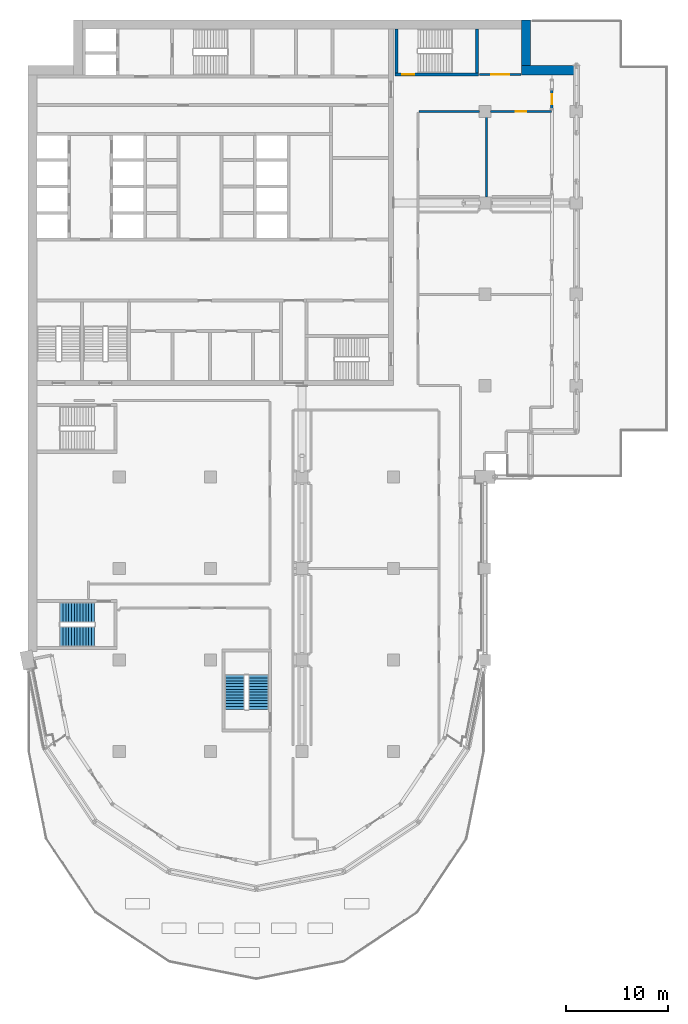
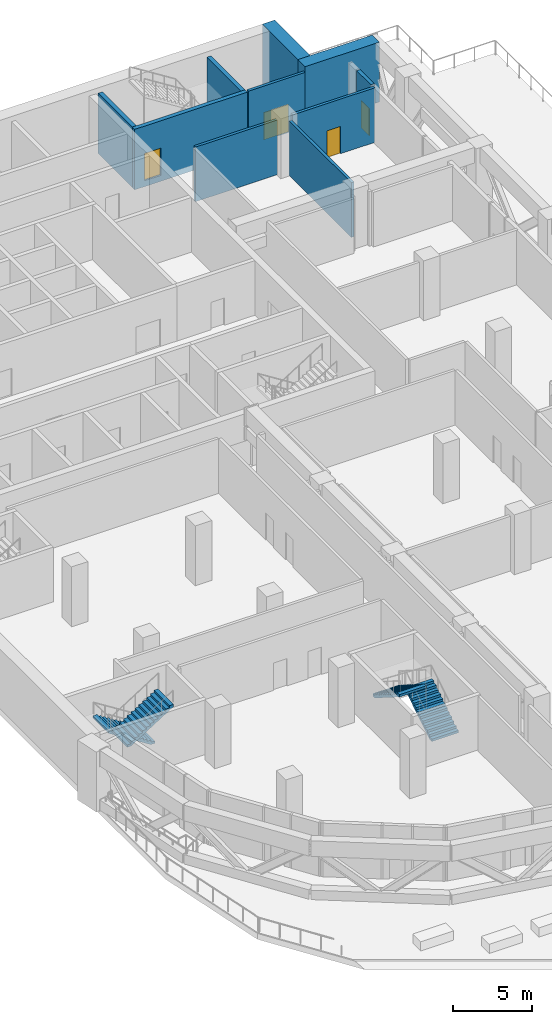
# One storey, part 11 of 20: 10 walls, 4 doors, 4 stair flights, 4 openings, 2 elements without a shape of their own.
"""IFC4 building model written with IfcOpenShell, lengths in metres."""

from ifc_helpers import new_model, si_unit, direction, frame, frame_2d, origin, place, context, subcontext, project, spatial, polyline, rectangle, outline, extrude, material, layer, layer_set, type_object, element, fill, aggregate, save


model = new_model("IFC4")

# Units and contexts
model_context = context("Model", 3, precision=1e-05, world=origin(), true_north=direction((0.0, 1.0)))
body_context = subcontext(model_context, "Body", "Model", "MODEL_VIEW")
ifc_project = project(units=[si_unit("LENGTHUNIT", "METRE"), si_unit("AREAUNIT", "SQUARE_METRE"), si_unit("VOLUMEUNIT", "CUBIC_METRE"), si_unit("PLANEANGLEUNIT", "RADIAN"), si_unit("MASSUNIT", "GRAM", prefix="KILO")], contexts=[model_context])

# Site, building, storey
site_placement = place(None, origin())
site = spatial("IfcSite", under=ifc_project, at=site_placement, CompositionType="ELEMENT")
building_placement = place(site_placement, origin())
building = spatial("IfcBuilding", under=site, at=building_placement, Name="Hunhe Ridgeline Campus", CompositionType="ELEMENT")
storey_placement = place(building_placement, frame((0.0, 0.0, 178.199951171875)))
storey = spatial("IfcBuildingStorey", under=building, at=storey_placement, Name="L45", CompositionType="ELEMENT", Elevation=178.199951171875)

# Wall, opening, door
ifc_material_1 = material(Name="Gypsum board partition")
ifc_layer_1 = layer(ifc_material_1, 0.199951171875)
ifc_layer_set_1 = layer_set([ifc_layer_1], Name="Corridor partition 200 gypsum board on steel studs")
wall_type_1 = type_object("IfcWallType", Name="Corridor partition 200 gypsum board on steel studs", PredefinedType="PARTITIONING", material=ifc_layer_set_1)
wall_1_placement = place(storey_placement, frame((51.544921875, 90.0, 0.0), z_axis=(0.0, 0.0, 1.0), x_axis=(-1.0, 0.0, 0.0)))
wall_1 = element("IfcWall", 1, at=wall_1_placement, inside=storey, type_object=wall_type_1, Name="F-L45-wall-029", PredefinedType="PARTITIONING", context=body_context, shape_type="SweptSolid", body=[
    extrude(rectangle(XDim=5.994873046875, YDim=0.199951171875, at=frame_2d((2.99755859375, 0.0))), origin(), (0.0, 0.0, 1.0), 4.199951171875),
])
opening_1_placement = place(wall_1_placement, frame((2.49755859375, 0.0, 0.0)))
opening_1 = element("IfcOpeningElement", 2, at=opening_1_placement, cuts=wall_1, Name="Opening RD1-014", PredefinedType="OPENING", context=body_context, shape_type="SweptSolid", body=[
    extrude(rectangle(XDim=1.0, YDim=2.10009765625, at=frame_2d((0.5, 1.050048828125))), frame((0.0, 0.10009765625, 0.0), z_axis=(0.0, -1.0, 0.0), x_axis=(1.0, 0.0, 0.0)), (0.0, 0.0, 1.0), 0.199951171875),
])
ifc_material_2 = material(Name="Timber door leaf", Category="wood")
door_type_1 = type_object("IfcDoorType", Name="Single fire door 1000x2100 timber FD60", OperationType="NOTDEFINED", PredefinedType="DOOR", material=ifc_material_2)
door_1_placement = place(opening_1_placement, frame((1.0, 0.0, 0.0), z_axis=(0.0, 0.0, 1.0), x_axis=(-1.0, 0.0, 0.0)))
door_1 = element("IfcDoor", 3, at=door_1_placement, inside=storey, type_object=door_type_1, Name="F-L45-door-014", OperationType="SINGLE_SWING_LEFT", OverallHeight=2.10009765625, OverallWidth=1.0, PredefinedType="DOOR", context=body_context, shape_type="SweptSolid", body=[
    extrude(rectangle(XDim=1.0, YDim=2.10009765625, at=frame_2d((0.5, 1.050048828125))), frame((0.0, 0.02490234375, 0.0), z_axis=(0.0, -1.0, 0.0), x_axis=(1.0, 0.0, 0.0)), (0.0, 0.0, 1.0), 0.050048828125),
])
fill(opening_1, door_1)

# Wall
wall_2_placement = place(storey_placement, frame((44.449951171875, 90.0, 0.0), z_axis=(0.0, 0.0, 1.0), x_axis=(-1.0, 0.0, 0.0)))
element("IfcWall", 4, at=wall_2_placement, inside=storey, type_object=wall_type_1, Name="F-L45-wall-030", PredefinedType="PARTITIONING", context=body_context, shape_type="SweptSolid", body=[
    extrude(rectangle(XDim=5.949951171875, YDim=0.199951171875, at=frame_2d((2.97509765625, 0.0))), origin(), (0.0, 0.0, 1.0), 4.199951171875),
])

# Wall, opening, door
wall_3_placement = place(storey_placement, frame((44.4541015625, 93.64990234375, 0.0), z_axis=(0.0, 0.0, 1.0), x_axis=(1.0, 0.0, 0.0)))
wall_3 = element("IfcWall", 5, at=wall_3_placement, inside=storey, type_object=wall_type_1, Name="F-L45-wall-031", PredefinedType="PARTITIONING", context=body_context, shape_type="SweptSolid", body=[
    extrude(rectangle(XDim=4.121826171875, YDim=0.199951171875, at=frame_2d((2.06103515625, 0.0))), origin(), (0.0, 0.0, 1.0), 4.199951171875),
])
opening_2_placement = place(wall_3_placement, frame((1.160888671875, 0.0, 0.0)))
opening_2 = element("IfcOpeningElement", 6, at=opening_2_placement, cuts=wall_3, Name="Opening RD2-015", PredefinedType="OPENING", context=body_context, shape_type="SweptSolid", body=[
    extrude(rectangle(XDim=1.800048828125, YDim=2.10009765625, at=frame_2d((0.89990234375, 1.050048828125))), frame((0.0, 0.10009765625, 0.0), z_axis=(0.0, -1.0, 0.0), x_axis=(1.0, 0.0, 0.0)), (0.0, 0.0, 1.0), 0.199951171875),
])
door_type_2 = type_object("IfcDoorType", Name="Double fire door 1800x2100 timber FD60", OperationType="DOUBLE_DOOR_SINGLE_SWING", PredefinedType="DOOR", material=ifc_material_2)
door_2_placement = place(opening_2_placement, origin())
door_2 = element("IfcDoor", 7, at=door_2_placement, inside=storey, type_object=door_type_2, Name="F-L45-door-015", OperationType="DOUBLE_DOOR_SINGLE_SWING", OverallHeight=2.10009765625, OverallWidth=1.800048828125, PredefinedType="DOOR", context=body_context, shape_type="SweptSolid", body=[
    extrude(rectangle(XDim=1.800048828125, YDim=2.10009765625, at=frame_2d((0.89990234375, 1.050048828125))), frame((0.0, 0.02490234375, 0.0), z_axis=(0.0, -1.0, 0.0), x_axis=(1.0, 0.0, 0.0)), (0.0, 0.0, 1.0), 0.050048828125),
])
fill(opening_2, door_2)

# Wall
wall_4_placement = place(storey_placement, frame((45.135986328125, 89.449951171875, 0.0), z_axis=(0.0, 0.0, 1.0), x_axis=(0.0, -1.0, 0.0)))
element("IfcWall", 8, at=wall_4_placement, inside=storey, type_object=wall_type_1, Name="F-L45-wall-048", PredefinedType="PARTITIONING", context=body_context, shape_type="SweptSolid", body=[
    extrude(rectangle(XDim=7.849609375, YDim=0.199951171875, at=frame_2d((3.9248046875, 0.0))), origin(), (0.0, 0.0, 1.0), 4.199951171875),
])

# Wall, opening, door
ifc_material_3 = material(Name="Concrete C30", Category="concrete")
ifc_layer_2 = layer(ifc_material_3, 0.25)
ifc_layer_set_2 = layer_set([ifc_layer_2], Name="Loggia door pier wall 250 Concrete C30")
wall_type_2 = type_object("IfcWallType", Name="Loggia door pier wall 250 Concrete C30", PredefinedType="SOLIDWALL", material=ifc_layer_set_2)
wall_5_placement = place(storey_placement, frame((51.59912109375, 90.300048828125, 0.0), z_axis=(0.0, 0.0, 1.0), x_axis=(0.0, 1.0, 0.0)))
wall_5 = element("IfcWall", 9, at=wall_5_placement, inside=storey, type_object=wall_type_2, Name="Loggia door pier 14", PredefinedType="SOLIDWALL", context=body_context, shape_type="SweptSolid", body=[
    extrude(rectangle(XDim=1.800048828125, YDim=0.25, at=frame_2d((0.89990234375, 0.0))), origin(), (0.0, 0.0, 1.0), 4.199951171875),
])
opening_3_placement = place(wall_5_placement, frame((0.39990234375, 0.0, 0.0)))
opening_3 = element("IfcOpeningElement", 10, at=opening_3_placement, cuts=wall_5, Name="Opening BR414", PredefinedType="OPENING", context=body_context, shape_type="SweptSolid", body=[
    extrude(rectangle(XDim=1.0, YDim=2.10009765625, at=frame_2d((0.5, 1.050048828125))), frame((0.0, 0.125, 0.0), z_axis=(0.0, -1.0, 0.0), x_axis=(1.0, 0.0, 0.0)), (0.0, 0.0, 1.0), 0.25),
])
ifc_material_4 = material(Name="Aluminium 6063", Category="aluminium")
door_type_3 = type_object("IfcDoorType", Name="Loggia glazed door 1000x2100", OperationType="NOTDEFINED", PredefinedType="DOOR", material=ifc_material_4)
door_3_placement = place(opening_3_placement, frame((1.0, 0.0, 0.0), z_axis=(0.0, 0.0, 1.0), x_axis=(-1.0, 0.0, 0.0)))
door_3 = element("IfcDoor", 11, at=door_3_placement, inside=storey, type_object=door_type_3, Name="Loggia door BR414", OperationType="SINGLE_SWING_LEFT", OverallHeight=2.10009765625, OverallWidth=1.0, PredefinedType="DOOR", context=body_context, shape_type="SweptSolid", body=[
    extrude(rectangle(XDim=1.0, YDim=2.10009765625, at=frame_2d((0.5, 1.050048828125))), frame((0.0, 0.02490234375, 0.0), z_axis=(0.0, -1.0, 0.0), x_axis=(1.0, 0.0, 0.0)), (0.0, 0.0, 1.0), 0.050048828125),
])
fill(opening_3, door_3)

# Walls
ifc_material_5 = material(Name="Concrete C60", Category="concrete")
ifc_layer_3 = layer(ifc_material_5, 0.89990234375)
ifc_layer_set_3 = layer_set([ifc_layer_3], Name="Spine wall 900 Concrete C60")
wall_type_3 = type_object("IfcWallType", Name="Spine wall 900 Concrete C60", PredefinedType="SHEAR", material=ifc_layer_set_3)
for number, where, z_axis, x_axis, name in (
    (12, (54.0, 94.050048828125, 0.0), (0.0, 0.0, 1.0), (-1.0, 0.0, 0.0), "Spine wall SW3-2 L45"),
    (13, (49.050048828125, 93.60009765625, 0.0), (0.0, 0.0, 1.0), (0.0, 1.0, 0.0), "Spine wall SW3-3 L45"),
):
    element("IfcWall", number, at=place(storey_placement, frame(where, z_axis=z_axis, x_axis=x_axis)), inside=storey, type_object=wall_type_3, Name=name, PredefinedType="SHEAR", context=body_context, shape_type="SweptSolid", body=[
        extrude(rectangle(XDim=5.39990234375, YDim=0.89990234375, at=frame_2d((2.699951171875, 0.0))), origin(), (0.0, 0.0, 1.0), 4.60009765625),
    ])

# Wall, opening, door
ifc_layer_4 = layer(ifc_material_5, 0.300048828125)
ifc_layer_set_4 = layer_set([ifc_layer_4], Name="Stair wall 300 reinforced concrete C60")
wall_type_4 = type_object("IfcWallType", Name="Stair wall 300 reinforced concrete C60", PredefinedType="SOLIDWALL", material=ifc_layer_set_4)
wall_6_placement = place(storey_placement, frame((36.14990234375, 93.64990234375, -0.449951171875), z_axis=(0.0, 0.0, 1.0), x_axis=(1.0, 0.0, 0.0)))
wall_6 = element("IfcWall", 14, at=wall_6_placement, inside=storey, type_object=wall_type_4, Name="L45 core wall 36", PredefinedType="SOLIDWALL", context=body_context, shape_type="SweptSolid", body=[
    extrude(rectangle(XDim=8.2001953125, YDim=0.300048828125, at=frame_2d((4.10009765625, 0.0))), origin(), (0.0, 0.0, 1.0), 4.64990234375),
])
opening_4_placement = place(wall_6_placement, frame((0.699951171875, 0.0, 0.449951171875)))
opening_4 = element("IfcOpeningElement", 15, at=opening_4_placement, cuts=wall_6, Name="Opening CD17", PredefinedType="OPENING", context=body_context, shape_type="SweptSolid", body=[
    extrude(rectangle(XDim=1.199951171875, YDim=2.10009765625, at=frame_2d((0.60009765625, 1.050048828125))), frame((0.0, 0.14990234375, 0.0), z_axis=(0.0, -1.0, 0.0), x_axis=(1.0, 0.0, 0.0)), (0.0, 0.0, 1.0), 0.300048828125),
])
ifc_material_6 = material(Name="Hollow metal fire door leaf")
door_type_4 = type_object("IfcDoorType", Name="Stair door 1200x2100 FD60", OperationType="SINGLE_SWING_LEFT", PredefinedType="DOOR", material=ifc_material_6)
door_4_placement = place(opening_4_placement, frame((1.199951171875, 0.0, 0.0), z_axis=(0.0, 0.0, 1.0), x_axis=(-1.0, 0.0, 0.0)))
door_4 = element("IfcDoor", 16, at=door_4_placement, inside=storey, type_object=door_type_4, Name="L45 door E1", OperationType="SINGLE_SWING_LEFT", OverallHeight=2.10009765625, OverallWidth=1.199951171875, PredefinedType="DOOR", context=body_context, shape_type="SweptSolid", body=[
    extrude(rectangle(XDim=1.199951171875, YDim=2.10009765625, at=frame_2d((0.60009765625, 1.050048828125))), frame((0.0, 0.02490234375, 0.0), z_axis=(0.0, -1.0, 0.0), x_axis=(1.0, 0.0, 0.0)), (0.0, 0.0, 1.0), 0.050048828125),
])
fill(opening_4, door_4)

# Walls
for number, where, z_axis, x_axis, name in (
    (17, (36.300048828125, 93.800048828125, -0.449951171875), (0.0, 0.0, 1.0), (0.0, 1.0, 0.0), "L45 core wall 66"),
    (18, (44.199951171875, 93.800048828125, -0.449951171875), (0.0, 0.0, 1.0), (0.0, 1.0, 0.0), "L45 core wall 67"),
):
    element("IfcWall", number, at=place(storey_placement, frame(where, z_axis=z_axis, x_axis=x_axis)), inside=storey, type_object=wall_type_4, Name=name, PredefinedType="SOLIDWALL", context=body_context, shape_type="SweptSolid", body=[
        extrude(rectangle(XDim=4.300048828125, YDim=0.300048828125, at=frame_2d((2.14990234375, 0.0))), origin(), (0.0, 0.0, 1.0), 4.64990234375),
    ])

# Stair, stair flights
ifc_material_7 = material(Name="Concrete C40", Category="concrete")
stair_type = type_object("IfcStairType", Name="Reinforced concrete dog-leg stair 1950 Concrete C40", PredefinedType="HALF_TURN_STAIR", material=ifc_material_7)
stair_1_placement = place(storey_placement, origin())
stair_1 = element("IfcStair", 19, at=stair_1_placement, inside=storey, type_object=stair_type, Name="L45 W3", PredefinedType="HALF_TURN_STAIR")
stair_flight_type = type_object("IfcStairFlightType", Name="Reinforced concrete stair flight 1950 Concrete C40", PredefinedType="STRAIGHT", material=ifc_material_7)
stair_flight_1_placement = place(storey_placement, frame((22.72509765625, 31.14990234375, 0.0), z_axis=(0.0, 0.0, 1.0), x_axis=(0.0, 1.0, 0.0)))
stair_flight_1 = element("IfcStairFlight", 20, at=stair_flight_1_placement, type_object=stair_flight_type, Name="ST9 flight 1", NumberOfRisers=13, NumberOfTreads=12, PredefinedType="STRAIGHT", RiserHeight=0.176923077, TreadLength=0.28, context=body_context, shape_type="SweptSolid", body=[
    extrude(outline(polyline([(0.0, 0.0), (0.0, 0.177001953125), (0.280029296875, 0.177001953125), (0.280029296875, 0.353759765625), (0.56005859375, 0.353759765625), (0.56005859375, 0.53076171875), (0.840087890625, 0.53076171875), (0.840087890625, 0.707763671875), (1.1201171875, 0.707763671875), (1.1201171875, 0.884521484375), (1.39990234375, 0.884521484375), (1.39990234375, 1.0615234375), (1.679931640625, 1.0615234375), (1.679931640625, 1.238525390625), (1.9599609375, 1.238525390625), (1.9599609375, 1.415283203125), (2.239990234375, 1.415283203125), (2.239990234375, 1.59228515625), (2.52001953125, 1.59228515625), (2.52001953125, 1.769287109375), (2.800048828125, 1.769287109375), (2.800048828125, 1.946044921875), (3.080078125, 1.946044921875), (3.080078125, 2.123046875), (3.360107421875, 2.123046875), (3.360107421875, 2.300048828125), (3.360107421875, 1.94580078125), (0.280517578125, 0.0), (0.0, 0.0)])), frame((0.0, 0.97509765625, 0.0), z_axis=(0.0, -1.0, 0.0), x_axis=(1.0, 0.0, 0.0)), (0.0, 0.0, 1.0), 1.949951171875),
    extrude(outline(polyline([(0.030029296875, 0.030029296875), (0.030029296875, 0.14697265625), (0.31005859375, 0.14697265625), (0.31005859375, 0.32373046875), (0.590087890625, 0.32373046875), (0.590087890625, 0.500732421875), (0.8701171875, 0.500732421875), (0.8701171875, 0.677734375), (1.14990234375, 0.677734375), (1.14990234375, 0.8544921875), (1.429931640625, 0.8544921875), (1.429931640625, 1.031494140625), (1.7099609375, 1.031494140625), (1.7099609375, 1.20849609375), (1.989990234375, 1.20849609375), (1.989990234375, 1.385498046875), (2.27001953125, 1.385498046875), (2.27001953125, 1.562255859375), (2.550048828125, 1.562255859375), (2.550048828125, 1.7392578125), (2.830078125, 1.7392578125), (2.830078125, 1.916259765625), (3.110107421875, 1.916259765625), (3.110107421875, 2.093017578125), (3.330078125, 2.093017578125), (3.330078125, 1.96240234375), (0.27197265625, 0.030029296875), (0.030029296875, 0.030029296875)])), frame((0.0, -0.070068359375, 0.0), z_axis=(0.0, -1.0, 0.0), x_axis=(1.0, 0.0, 0.0)), (0.0, 0.0, 1.0), 0.019775390625),
    extrude(outline(polyline([(0.030029296875, 0.030029296875), (0.030029296875, 0.14697265625), (0.31005859375, 0.14697265625), (0.31005859375, 0.32373046875), (0.590087890625, 0.32373046875), (0.590087890625, 0.500732421875), (0.8701171875, 0.500732421875), (0.8701171875, 0.677734375), (1.14990234375, 0.677734375), (1.14990234375, 0.8544921875), (1.429931640625, 0.8544921875), (1.429931640625, 1.031494140625), (1.7099609375, 1.031494140625), (1.7099609375, 1.20849609375), (1.989990234375, 1.20849609375), (1.989990234375, 1.385498046875), (2.27001953125, 1.385498046875), (2.27001953125, 1.562255859375), (2.550048828125, 1.562255859375), (2.550048828125, 1.7392578125), (2.830078125, 1.7392578125), (2.830078125, 1.916259765625), (3.110107421875, 1.916259765625), (3.110107421875, 2.093017578125), (3.330078125, 2.093017578125), (3.330078125, 1.96240234375), (0.27197265625, 0.030029296875), (0.030029296875, 0.030029296875)])), frame((0.0, 0.010009765625, 0.0), z_axis=(0.0, -1.0, 0.0), x_axis=(1.0, 0.0, 0.0)), (0.0, 0.0, 1.0), 0.019775390625),
    extrude(outline(polyline([(0.030029296875, 0.030029296875), (0.030029296875, 0.14697265625), (0.31005859375, 0.14697265625), (0.31005859375, 0.32373046875), (0.590087890625, 0.32373046875), (0.590087890625, 0.500732421875), (0.8701171875, 0.500732421875), (0.8701171875, 0.677734375), (1.14990234375, 0.677734375), (1.14990234375, 0.8544921875), (1.429931640625, 0.8544921875), (1.429931640625, 1.031494140625), (1.7099609375, 1.031494140625), (1.7099609375, 1.20849609375), (1.989990234375, 1.20849609375), (1.989990234375, 1.385498046875), (2.27001953125, 1.385498046875), (2.27001953125, 1.562255859375), (2.550048828125, 1.562255859375), (2.550048828125, 1.7392578125), (2.830078125, 1.7392578125), (2.830078125, 1.916259765625), (3.110107421875, 1.916259765625), (3.110107421875, 2.093017578125), (3.330078125, 2.093017578125), (3.330078125, 1.96240234375), (0.27197265625, 0.030029296875), (0.030029296875, 0.030029296875)])), frame((0.0, 0.090087890625, 0.0), z_axis=(0.0, -1.0, 0.0), x_axis=(1.0, 0.0, 0.0)), (0.0, 0.0, 1.0), 0.019775390625),
])
stair_flight_2_placement = place(storey_placement, frame((20.375, 34.510009765625, 2.300048828125), z_axis=(0.0, 0.0, 1.0), x_axis=(0.0, -1.0, 0.0)))
stair_flight_2 = element("IfcStairFlight", 21, at=stair_flight_2_placement, type_object=stair_flight_type, Name="ST9 flight 2", NumberOfRisers=13, NumberOfTreads=12, PredefinedType="STRAIGHT", RiserHeight=0.176923077, TreadLength=0.28, context=body_context, shape_type="SweptSolid", body=[
    extrude(outline(polyline([(0.0, 0.0), (0.0, 0.177001953125), (0.280029296875, 0.177001953125), (0.280029296875, 0.353759765625), (0.56005859375, 0.353759765625), (0.56005859375, 0.53076171875), (0.840087890625, 0.53076171875), (0.840087890625, 0.707763671875), (1.1201171875, 0.707763671875), (1.1201171875, 0.884521484375), (1.39990234375, 0.884521484375), (1.39990234375, 1.0615234375), (1.679931640625, 1.0615234375), (1.679931640625, 1.238525390625), (1.9599609375, 1.238525390625), (1.9599609375, 1.415283203125), (2.239990234375, 1.415283203125), (2.239990234375, 1.59228515625), (2.52001953125, 1.59228515625), (2.52001953125, 1.769287109375), (2.800048828125, 1.769287109375), (2.800048828125, 1.946044921875), (3.080078125, 1.946044921875), (3.080078125, 2.123046875), (3.360107421875, 2.123046875), (3.360107421875, 2.300048828125), (3.360107421875, 1.94580078125), (0.280517578125, 0.0), (0.0, 0.0)])), frame((0.0, 0.97509765625, 0.0), z_axis=(0.0, -1.0, 0.0), x_axis=(1.0, 0.0, 0.0)), (0.0, 0.0, 1.0), 1.949951171875),
    extrude(outline(polyline([(0.030029296875, 0.030029296875), (0.030029296875, 0.14697265625), (0.31005859375, 0.14697265625), (0.31005859375, 0.32373046875), (0.590087890625, 0.32373046875), (0.590087890625, 0.500732421875), (0.8701171875, 0.500732421875), (0.8701171875, 0.677734375), (1.14990234375, 0.677734375), (1.14990234375, 0.8544921875), (1.429931640625, 0.8544921875), (1.429931640625, 1.031494140625), (1.7099609375, 1.031494140625), (1.7099609375, 1.20849609375), (1.989990234375, 1.20849609375), (1.989990234375, 1.385498046875), (2.27001953125, 1.385498046875), (2.27001953125, 1.562255859375), (2.550048828125, 1.562255859375), (2.550048828125, 1.7392578125), (2.830078125, 1.7392578125), (2.830078125, 1.916259765625), (3.110107421875, 1.916259765625), (3.110107421875, 2.093017578125), (3.330078125, 2.093017578125), (3.330078125, 1.96240234375), (0.27197265625, 0.030029296875), (0.030029296875, 0.030029296875)])), frame((0.0, -0.070068359375, 0.0), z_axis=(0.0, -1.0, 0.0), x_axis=(1.0, 0.0, 0.0)), (0.0, 0.0, 1.0), 0.019775390625),
    extrude(outline(polyline([(0.030029296875, 0.030029296875), (0.030029296875, 0.14697265625), (0.31005859375, 0.14697265625), (0.31005859375, 0.32373046875), (0.590087890625, 0.32373046875), (0.590087890625, 0.500732421875), (0.8701171875, 0.500732421875), (0.8701171875, 0.677734375), (1.14990234375, 0.677734375), (1.14990234375, 0.8544921875), (1.429931640625, 0.8544921875), (1.429931640625, 1.031494140625), (1.7099609375, 1.031494140625), (1.7099609375, 1.20849609375), (1.989990234375, 1.20849609375), (1.989990234375, 1.385498046875), (2.27001953125, 1.385498046875), (2.27001953125, 1.562255859375), (2.550048828125, 1.562255859375), (2.550048828125, 1.7392578125), (2.830078125, 1.7392578125), (2.830078125, 1.916259765625), (3.110107421875, 1.916259765625), (3.110107421875, 2.093017578125), (3.330078125, 2.093017578125), (3.330078125, 1.96240234375), (0.27197265625, 0.030029296875), (0.030029296875, 0.030029296875)])), frame((0.0, 0.010009765625, 0.0), z_axis=(0.0, -1.0, 0.0), x_axis=(1.0, 0.0, 0.0)), (0.0, 0.0, 1.0), 0.019775390625),
    extrude(outline(polyline([(0.030029296875, 0.030029296875), (0.030029296875, 0.14697265625), (0.31005859375, 0.14697265625), (0.31005859375, 0.32373046875), (0.590087890625, 0.32373046875), (0.590087890625, 0.500732421875), (0.8701171875, 0.500732421875), (0.8701171875, 0.677734375), (1.14990234375, 0.677734375), (1.14990234375, 0.8544921875), (1.429931640625, 0.8544921875), (1.429931640625, 1.031494140625), (1.7099609375, 1.031494140625), (1.7099609375, 1.20849609375), (1.989990234375, 1.20849609375), (1.989990234375, 1.385498046875), (2.27001953125, 1.385498046875), (2.27001953125, 1.562255859375), (2.550048828125, 1.562255859375), (2.550048828125, 1.7392578125), (2.830078125, 1.7392578125), (2.830078125, 1.916259765625), (3.110107421875, 1.916259765625), (3.110107421875, 2.093017578125), (3.330078125, 2.093017578125), (3.330078125, 1.96240234375), (0.27197265625, 0.030029296875), (0.030029296875, 0.030029296875)])), frame((0.0, 0.090087890625, 0.0), z_axis=(0.0, -1.0, 0.0), x_axis=(1.0, 0.0, 0.0)), (0.0, 0.0, 1.0), 0.019775390625),
])
aggregate(stair_1, [stair_flight_1, stair_flight_2])

stair_2_placement = place(storey_placement, origin())
stair_2 = element("IfcStair", 22, at=stair_2_placement, inside=storey, type_object=stair_type, Name="L45 W1", PredefinedType="HALF_TURN_STAIR")
stair_flight_3_placement = place(storey_placement, frame((6.550048828125, 40.675048828125, 0.0), z_axis=(0.0, 0.0, 1.0), x_axis=(-1.0, 0.0, 0.0)))
stair_flight_3 = element("IfcStairFlight", 23, at=stair_flight_3_placement, type_object=stair_flight_type, Name="ST11 flight 1", NumberOfRisers=13, NumberOfTreads=12, PredefinedType="STRAIGHT", RiserHeight=0.176923077, TreadLength=0.28, context=body_context, shape_type="SweptSolid", body=[
    extrude(outline(polyline([(0.0, 0.0), (0.0, 0.177001953125), (0.280029296875, 0.177001953125), (0.280029296875, 0.353759765625), (0.56005859375, 0.353759765625), (0.56005859375, 0.53076171875), (0.840087890625, 0.53076171875), (0.840087890625, 0.707763671875), (1.1201171875, 0.707763671875), (1.1201171875, 0.884521484375), (1.39990234375, 0.884521484375), (1.39990234375, 1.0615234375), (1.679931640625, 1.0615234375), (1.679931640625, 1.238525390625), (1.9599609375, 1.238525390625), (1.9599609375, 1.415283203125), (2.239990234375, 1.415283203125), (2.239990234375, 1.59228515625), (2.52001953125, 1.59228515625), (2.52001953125, 1.769287109375), (2.800048828125, 1.769287109375), (2.800048828125, 1.946044921875), (3.080078125, 1.946044921875), (3.080078125, 2.123046875), (3.360107421875, 2.123046875), (3.360107421875, 2.300048828125), (3.360107421875, 1.94580078125), (0.280517578125, 0.0), (0.0, 0.0)])), frame((0.0, 0.97509765625, 0.0), z_axis=(0.0, -1.0, 0.0), x_axis=(1.0, 0.0, 0.0)), (0.0, 0.0, 1.0), 1.949951171875),
    extrude(outline(polyline([(0.030029296875, 0.030029296875), (0.030029296875, 0.14697265625), (0.31005859375, 0.14697265625), (0.31005859375, 0.32373046875), (0.590087890625, 0.32373046875), (0.590087890625, 0.500732421875), (0.8701171875, 0.500732421875), (0.8701171875, 0.677734375), (1.14990234375, 0.677734375), (1.14990234375, 0.8544921875), (1.429931640625, 0.8544921875), (1.429931640625, 1.031494140625), (1.7099609375, 1.031494140625), (1.7099609375, 1.20849609375), (1.989990234375, 1.20849609375), (1.989990234375, 1.385498046875), (2.27001953125, 1.385498046875), (2.27001953125, 1.562255859375), (2.550048828125, 1.562255859375), (2.550048828125, 1.7392578125), (2.830078125, 1.7392578125), (2.830078125, 1.916259765625), (3.110107421875, 1.916259765625), (3.110107421875, 2.093017578125), (3.330078125, 2.093017578125), (3.330078125, 1.96240234375), (0.27197265625, 0.030029296875), (0.030029296875, 0.030029296875)])), frame((0.0, -0.070068359375, 0.0), z_axis=(0.0, -1.0, 0.0), x_axis=(1.0, 0.0, 0.0)), (0.0, 0.0, 1.0), 0.019775390625),
    extrude(outline(polyline([(0.030029296875, 0.030029296875), (0.030029296875, 0.14697265625), (0.31005859375, 0.14697265625), (0.31005859375, 0.32373046875), (0.590087890625, 0.32373046875), (0.590087890625, 0.500732421875), (0.8701171875, 0.500732421875), (0.8701171875, 0.677734375), (1.14990234375, 0.677734375), (1.14990234375, 0.8544921875), (1.429931640625, 0.8544921875), (1.429931640625, 1.031494140625), (1.7099609375, 1.031494140625), (1.7099609375, 1.20849609375), (1.989990234375, 1.20849609375), (1.989990234375, 1.385498046875), (2.27001953125, 1.385498046875), (2.27001953125, 1.562255859375), (2.550048828125, 1.562255859375), (2.550048828125, 1.7392578125), (2.830078125, 1.7392578125), (2.830078125, 1.916259765625), (3.110107421875, 1.916259765625), (3.110107421875, 2.093017578125), (3.330078125, 2.093017578125), (3.330078125, 1.96240234375), (0.27197265625, 0.030029296875), (0.030029296875, 0.030029296875)])), frame((0.0, 0.010009765625, 0.0), z_axis=(0.0, -1.0, 0.0), x_axis=(1.0, 0.0, 0.0)), (0.0, 0.0, 1.0), 0.019775390625),
    extrude(outline(polyline([(0.030029296875, 0.030029296875), (0.030029296875, 0.14697265625), (0.31005859375, 0.14697265625), (0.31005859375, 0.32373046875), (0.590087890625, 0.32373046875), (0.590087890625, 0.500732421875), (0.8701171875, 0.500732421875), (0.8701171875, 0.677734375), (1.14990234375, 0.677734375), (1.14990234375, 0.8544921875), (1.429931640625, 0.8544921875), (1.429931640625, 1.031494140625), (1.7099609375, 1.031494140625), (1.7099609375, 1.20849609375), (1.989990234375, 1.20849609375), (1.989990234375, 1.385498046875), (2.27001953125, 1.385498046875), (2.27001953125, 1.562255859375), (2.550048828125, 1.562255859375), (2.550048828125, 1.7392578125), (2.830078125, 1.7392578125), (2.830078125, 1.916259765625), (3.110107421875, 1.916259765625), (3.110107421875, 2.093017578125), (3.330078125, 2.093017578125), (3.330078125, 1.96240234375), (0.27197265625, 0.030029296875), (0.030029296875, 0.030029296875)])), frame((0.0, 0.090087890625, 0.0), z_axis=(0.0, -1.0, 0.0), x_axis=(1.0, 0.0, 0.0)), (0.0, 0.0, 1.0), 0.019775390625),
])
stair_flight_4_placement = place(storey_placement, frame((3.18994140625, 38.324951171875, 2.300048828125), z_axis=(0.0, 0.0, 1.0), x_axis=(1.0, 0.0, 0.0)))
stair_flight_4 = element("IfcStairFlight", 24, at=stair_flight_4_placement, type_object=stair_flight_type, Name="ST11 flight 2", NumberOfRisers=13, NumberOfTreads=12, PredefinedType="STRAIGHT", RiserHeight=0.176923077, TreadLength=0.28, context=body_context, shape_type="SweptSolid", body=[
    extrude(outline(polyline([(0.0, 0.0), (0.0, 0.177001953125), (0.280029296875, 0.177001953125), (0.280029296875, 0.353759765625), (0.56005859375, 0.353759765625), (0.56005859375, 0.53076171875), (0.840087890625, 0.53076171875), (0.840087890625, 0.707763671875), (1.1201171875, 0.707763671875), (1.1201171875, 0.884521484375), (1.39990234375, 0.884521484375), (1.39990234375, 1.0615234375), (1.679931640625, 1.0615234375), (1.679931640625, 1.238525390625), (1.9599609375, 1.238525390625), (1.9599609375, 1.415283203125), (2.239990234375, 1.415283203125), (2.239990234375, 1.59228515625), (2.52001953125, 1.59228515625), (2.52001953125, 1.769287109375), (2.800048828125, 1.769287109375), (2.800048828125, 1.946044921875), (3.080078125, 1.946044921875), (3.080078125, 2.123046875), (3.360107421875, 2.123046875), (3.360107421875, 2.300048828125), (3.360107421875, 1.94580078125), (0.280517578125, 0.0), (0.0, 0.0)])), frame((0.0, 0.97509765625, 0.0), z_axis=(0.0, -1.0, 0.0), x_axis=(1.0, 0.0, 0.0)), (0.0, 0.0, 1.0), 1.949951171875),
    extrude(outline(polyline([(0.030029296875, 0.030029296875), (0.030029296875, 0.14697265625), (0.31005859375, 0.14697265625), (0.31005859375, 0.32373046875), (0.590087890625, 0.32373046875), (0.590087890625, 0.500732421875), (0.8701171875, 0.500732421875), (0.8701171875, 0.677734375), (1.14990234375, 0.677734375), (1.14990234375, 0.8544921875), (1.429931640625, 0.8544921875), (1.429931640625, 1.031494140625), (1.7099609375, 1.031494140625), (1.7099609375, 1.20849609375), (1.989990234375, 1.20849609375), (1.989990234375, 1.385498046875), (2.27001953125, 1.385498046875), (2.27001953125, 1.562255859375), (2.550048828125, 1.562255859375), (2.550048828125, 1.7392578125), (2.830078125, 1.7392578125), (2.830078125, 1.916259765625), (3.110107421875, 1.916259765625), (3.110107421875, 2.093017578125), (3.330078125, 2.093017578125), (3.330078125, 1.96240234375), (0.27197265625, 0.030029296875), (0.030029296875, 0.030029296875)])), frame((0.0, -0.070068359375, 0.0), z_axis=(0.0, -1.0, 0.0), x_axis=(1.0, 0.0, 0.0)), (0.0, 0.0, 1.0), 0.019775390625),
    extrude(outline(polyline([(0.030029296875, 0.030029296875), (0.030029296875, 0.14697265625), (0.31005859375, 0.14697265625), (0.31005859375, 0.32373046875), (0.590087890625, 0.32373046875), (0.590087890625, 0.500732421875), (0.8701171875, 0.500732421875), (0.8701171875, 0.677734375), (1.14990234375, 0.677734375), (1.14990234375, 0.8544921875), (1.429931640625, 0.8544921875), (1.429931640625, 1.031494140625), (1.7099609375, 1.031494140625), (1.7099609375, 1.20849609375), (1.989990234375, 1.20849609375), (1.989990234375, 1.385498046875), (2.27001953125, 1.385498046875), (2.27001953125, 1.562255859375), (2.550048828125, 1.562255859375), (2.550048828125, 1.7392578125), (2.830078125, 1.7392578125), (2.830078125, 1.916259765625), (3.110107421875, 1.916259765625), (3.110107421875, 2.093017578125), (3.330078125, 2.093017578125), (3.330078125, 1.96240234375), (0.27197265625, 0.030029296875), (0.030029296875, 0.030029296875)])), frame((0.0, 0.010009765625, 0.0), z_axis=(0.0, -1.0, 0.0), x_axis=(1.0, 0.0, 0.0)), (0.0, 0.0, 1.0), 0.019775390625),
    extrude(outline(polyline([(0.030029296875, 0.030029296875), (0.030029296875, 0.14697265625), (0.31005859375, 0.14697265625), (0.31005859375, 0.32373046875), (0.590087890625, 0.32373046875), (0.590087890625, 0.500732421875), (0.8701171875, 0.500732421875), (0.8701171875, 0.677734375), (1.14990234375, 0.677734375), (1.14990234375, 0.8544921875), (1.429931640625, 0.8544921875), (1.429931640625, 1.031494140625), (1.7099609375, 1.031494140625), (1.7099609375, 1.20849609375), (1.989990234375, 1.20849609375), (1.989990234375, 1.385498046875), (2.27001953125, 1.385498046875), (2.27001953125, 1.562255859375), (2.550048828125, 1.562255859375), (2.550048828125, 1.7392578125), (2.830078125, 1.7392578125), (2.830078125, 1.916259765625), (3.110107421875, 1.916259765625), (3.110107421875, 2.093017578125), (3.330078125, 2.093017578125), (3.330078125, 1.96240234375), (0.27197265625, 0.030029296875), (0.030029296875, 0.030029296875)])), frame((0.0, 0.090087890625, 0.0), z_axis=(0.0, -1.0, 0.0), x_axis=(1.0, 0.0, 0.0)), (0.0, 0.0, 1.0), 0.019775390625),
])
aggregate(stair_2, [stair_flight_3, stair_flight_4])

save(model, "model.ifc")
